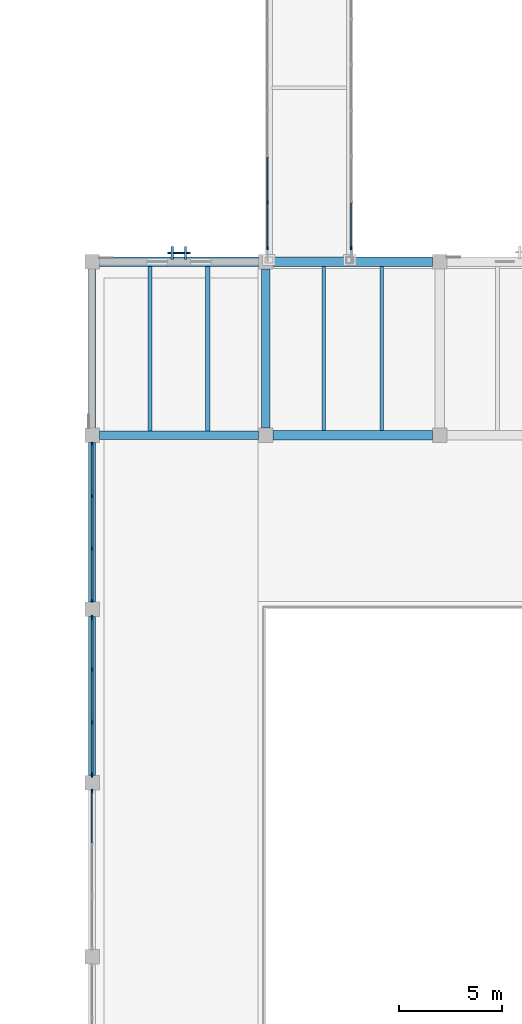
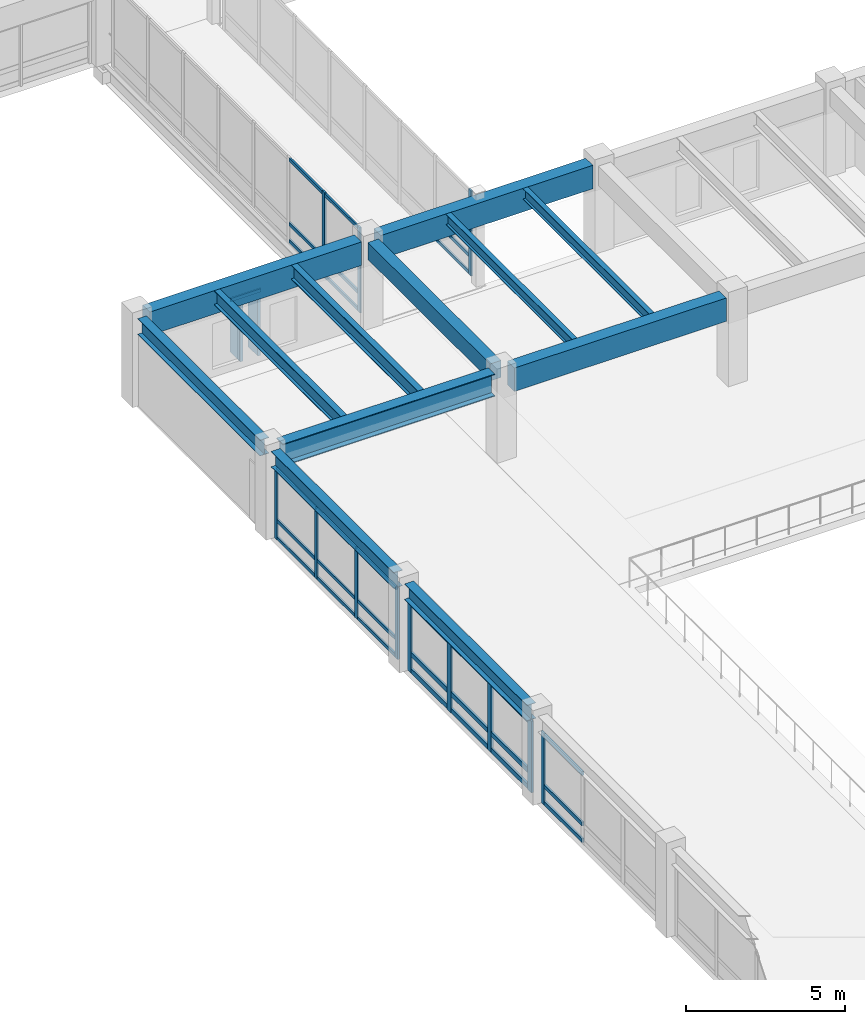
# One storey, part 43 of 118: 44 members, 12 beams, 6 elements without a shape of their own.
"""IFC4 building model written with IfcOpenShell, lengths in metres."""

from ifc_helpers import new_model, si_unit, direction, frame, origin, origin_2d, place, context, subcontext, project, spatial, rectangle, i_section, extrude, material, material_profile, profile_set, type_object, element, aggregate, save


model = new_model("IFC4")

# Units and contexts
model_context = context("Model", 3, precision=1e-05, world=origin(), true_north=direction((0.0, 1.0)))
body_context = subcontext(model_context, "Body", "Model", "MODEL_VIEW")
ifc_project = project(units=[si_unit("LENGTHUNIT", "METRE"), si_unit("AREAUNIT", "SQUARE_METRE"), si_unit("VOLUMEUNIT", "CUBIC_METRE"), si_unit("PLANEANGLEUNIT", "RADIAN"), si_unit("MASSUNIT", "GRAM", prefix="KILO")], contexts=[model_context])

# Site, building, storey
site_placement = place(None, origin())
site = spatial("IfcSite", under=ifc_project, at=site_placement, CompositionType="ELEMENT")
building_placement = place(site_placement, origin())
building = spatial("IfcBuilding", under=site, at=building_placement, Name="Cumbredor Promenade Congress Hotel", CompositionType="ELEMENT")
storey_placement = place(building_placement, frame((0.0, 0.0, 3.919921875)))
storey = spatial("IfcBuildingStorey", under=building, at=storey_placement, Name="L01", CompositionType="ELEMENT", Elevation=3.919921875)

# Beams
ifc_material_1 = material(Name="Concrete C40/50", Category="concrete")
ifc_material_profile_1 = material_profile(ifc_material_1, rectangle(XDim=0.39990234375, YDim=0.64990234375, at=origin_2d()), Name="RC BEAM 400x650")
ifc_profile_set_1 = profile_set([ifc_material_profile_1], Name="Concrete C40/50")
beam_type_1 = type_object("IfcBeamType", Name="BM-RC-400x650", PredefinedType="BEAM", material=ifc_profile_set_1)
beam_1_placement = place(storey_placement, frame((151.199951171875, 59.14990234375, 3.03515625), z_axis=(0.0, 1.0, 0.0), x_axis=(-1.0, 0.0, 0.0)))
element("IfcBeam", 1, at=beam_1_placement, inside=storey, type_object=beam_type_1, Name="L02 Y-Grid Beam 237", PredefinedType="BEAM", context=body_context, shape_type="SweptSolid", body=[
    extrude(rectangle(XDim=0.39990234375, YDim=0.64990234375, at=origin_2d()), origin(), (0.0, 0.0, 1.0), 7.7001953125),
])
ifc_material_2 = material(Name="Steel ASTM A992 Grade 50", Category="steel")
ifc_material_profile_2 = material_profile(ifc_material_2, i_section(OverallWidth=0.39990234375, OverallDepth=0.85498046875, WebThickness=0.018310546875, FlangeThickness=0.029296875, at=origin_2d()), Name="W33X201")
ifc_profile_set_2 = profile_set([ifc_material_profile_2], Name="Steel ASTM A992 Grade 50")
beam_type_2 = type_object("IfcBeamType", Name="BM-W33X201", PredefinedType="BEAM", material=ifc_profile_set_2)
beam_2_placement = place(storey_placement, frame((143.14990234375, 58.800048828125, 2.9326171875), z_axis=(1.0, 0.0, 0.0), x_axis=(0.0, 1.0, 0.0)))
element("IfcBeam", 2, at=beam_2_placement, inside=storey, type_object=beam_type_2, Name="L02 X-Grid Beam 228", PredefinedType="BEAM", context=body_context, shape_type="SweptSolid", body=[
    extrude(i_section(OverallWidth=0.39990234375, OverallDepth=0.85498046875, WebThickness=0.018310546875, FlangeThickness=0.029296875, at=origin_2d()), origin(), (0.0, 0.0, 1.0), 7.7001953125),
])

# Curtain wall, members
ifc_material_3 = material(Name="Thermally broken anodized aluminium and low-E glass", Category="aluminium")
curtain_wall_type_1 = type_object("IfcCurtainWallType", Name="Unitised Bronze Curtain Wall CW-01", PredefinedType="NOTDEFINED", material=ifc_material_3)
curtain_wall_1_placement = place(storey_placement, origin())
curtain_wall_1 = element("IfcCurtainWall", 3, at=curtain_wall_1_placement, inside=storey, type_object=curtain_wall_type_1, Name="L01 Grand Ballroom Pavilion West Curtain Wall 6", PredefinedType="NOTDEFINED")
ifc_material_4 = material(Name="Thermally broken anodized aluminium", Category="aluminium")
ifc_material_profile_3 = material_profile(ifc_material_4, rectangle(XDim=0.06494140625, YDim=0.159912109375, at=origin_2d()), Name="ALU MULLION 65x160")
ifc_profile_set_3 = profile_set([ifc_material_profile_3], Name="Thermally broken anodized aluminium")
member_type_1 = type_object("IfcMemberType", Name="Curtain Wall Mullion ML-01", PredefinedType="MULLION", material=ifc_profile_set_3)
member_1_placement = place(storey_placement, frame((142.800048828125, 50.804931640625, -0.0078125), z_axis=(0.0, 0.0, 1.0), x_axis=(1.0, 0.0, 0.0)))
member_1 = element("IfcMember", 4, at=member_1_placement, type_object=member_type_1, Name="L01 Grand Ballroom Pavilion West Curtain Wall 6 Mullion 1", PredefinedType="MULLION", context=body_context, shape_type="SweptSolid", body=[
    extrude(rectangle(XDim=0.06494140625, YDim=0.159912109375, at=origin_2d()), origin(), (0.0, 0.0, 1.0), 2.75),
])
member_2_placement = place(storey_placement, frame((142.800048828125, 53.3349609375, -0.0078125), z_axis=(0.0, 0.0, 1.0), x_axis=(1.0, 0.0, 0.0)))
member_2 = element("IfcMember", 5, at=member_2_placement, type_object=member_type_1, Name="L01 Grand Ballroom Pavilion West Curtain Wall 6 Mullion 2", PredefinedType="MULLION", context=body_context, shape_type="SweptSolid", body=[
    extrude(rectangle(XDim=0.06494140625, YDim=0.159912109375, at=origin_2d()), origin(), (0.0, 0.0, 1.0), 2.75),
])
member_3_placement = place(storey_placement, frame((142.800048828125, 55.864990234375, -0.0078125), z_axis=(0.0, 0.0, 1.0), x_axis=(1.0, 0.0, 0.0)))
member_3 = element("IfcMember", 6, at=member_3_placement, type_object=member_type_1, Name="L01 Grand Ballroom Pavilion West Curtain Wall 6 Mullion 3", PredefinedType="MULLION", context=body_context, shape_type="SweptSolid", body=[
    extrude(rectangle(XDim=0.06494140625, YDim=0.159912109375, at=origin_2d()), origin(), (0.0, 0.0, 1.0), 2.75),
])
member_4_placement = place(storey_placement, frame((142.800048828125, 58.39501953125, -0.0078125), z_axis=(0.0, 0.0, 1.0), x_axis=(1.0, 0.0, 0.0)))
member_4 = element("IfcMember", 7, at=member_4_placement, type_object=member_type_1, Name="L01 Grand Ballroom Pavilion West Curtain Wall 6 Mullion 4", PredefinedType="MULLION", context=body_context, shape_type="SweptSolid", body=[
    extrude(rectangle(XDim=0.06494140625, YDim=0.159912109375, at=origin_2d()), origin(), (0.0, 0.0, 1.0), 2.75),
])

curtain_wall_type_2 = type_object("IfcCurtainWallType", Name="Unitised Bridge Glazing Screen CW-05", PredefinedType="NOTDEFINED", material=ifc_material_3)
curtain_wall_2_placement = place(storey_placement, origin())
curtain_wall_2 = element("IfcCurtainWall", 8, at=curtain_wall_2_placement, inside=storey, type_object=curtain_wall_type_2, Name="L01 East Ballroom-to-Forum Glazed Bridge West Glazing Screen", PredefinedType="NOTDEFINED")
member_5_placement = place(storey_placement, frame((151.280029296875, 67.860107421875, -0.0078125), z_axis=(0.0, 0.0, 1.0), x_axis=(1.0, 0.0, 0.0)))
member_5 = element("IfcMember", 9, at=member_5_placement, type_object=member_type_1, Name="L01 East Ballroom-to-Forum Glazed Bridge West Glazing Screen Mullion 1", PredefinedType="MULLION", context=body_context, shape_type="SweptSolid", body=[
    extrude(rectangle(XDim=0.06494140625, YDim=0.159912109375, at=origin_2d()), origin(), (0.0, 0.0, 1.0), 3.27587890625),
])
member_6_placement = place(storey_placement, frame((151.280029296875, 70.0712890625, -0.0078125), z_axis=(0.0, 0.0, 1.0), x_axis=(1.0, 0.0, 0.0)))
member_6 = element("IfcMember", 10, at=member_6_placement, type_object=member_type_1, Name="L01 East Ballroom-to-Forum Glazed Bridge West Glazing Screen Mullion 2", PredefinedType="MULLION", context=body_context, shape_type="SweptSolid", body=[
    extrude(rectangle(XDim=0.06494140625, YDim=0.159912109375, at=origin_2d()), origin(), (0.0, 0.0, 1.0), 3.27587890625),
])

# Curtain wall, member
curtain_wall_3_placement = place(storey_placement, origin())
curtain_wall_3 = element("IfcCurtainWall", 11, at=curtain_wall_3_placement, inside=storey, type_object=curtain_wall_type_2, Name="L01 East Ballroom-to-Forum Glazed Bridge East Glazing Screen", PredefinedType="NOTDEFINED")
member_7_placement = place(storey_placement, frame((155.320068359375, 67.860107421875, -0.0078125), z_axis=(0.0, 0.0, 1.0), x_axis=(1.0, 0.0, 0.0)))
member_7 = element("IfcMember", 12, at=member_7_placement, type_object=member_type_1, Name="L01 East Ballroom-to-Forum Glazed Bridge East Glazing Screen Mullion 1", PredefinedType="MULLION", context=body_context, shape_type="SweptSolid", body=[
    extrude(rectangle(XDim=0.06494140625, YDim=0.159912109375, at=origin_2d()), origin(), (0.0, 0.0, 1.0), 3.27587890625),
])

curtain_wall_4_placement = place(storey_placement, origin())
curtain_wall_4 = element("IfcCurtainWall", 13, at=curtain_wall_4_placement, inside=storey, type_object=curtain_wall_type_1, Name="L01 Grand Ballroom Pavilion West Curtain Wall 4", PredefinedType="NOTDEFINED")
ifc_material_profile_4 = material_profile(ifc_material_4, rectangle(XDim=0.074951171875, YDim=0.199951171875, at=origin_2d()), Name="ALU MULLION 75x200")
ifc_profile_set_4 = profile_set([ifc_material_profile_4], Name="Thermally broken anodized aluminium")
member_type_2 = type_object("IfcMemberType", Name="Curtain Wall Mullion ML-02", PredefinedType="MULLION", material=ifc_profile_set_4)
member_8_placement = place(storey_placement, frame((142.800048828125, 41.594970703125, -0.0078125), z_axis=(0.0, 0.0, 1.0), x_axis=(1.0, 0.0, 0.0)))
member_8 = element("IfcMember", 14, at=member_8_placement, type_object=member_type_2, Name="L01 Grand Ballroom Pavilion West Curtain Wall 4 Mullion 4", PredefinedType="MULLION", context=body_context, shape_type="SweptSolid", body=[
    extrude(rectangle(XDim=0.074951171875, YDim=0.199951171875, at=origin_2d()), origin(), (0.0, 0.0, 1.0), 2.75),
])

# Curtain wall, members
curtain_wall_5_placement = place(storey_placement, origin())
curtain_wall_5 = element("IfcCurtainWall", 15, at=curtain_wall_5_placement, inside=storey, type_object=curtain_wall_type_1, Name="L01 Grand Ballroom Pavilion West Curtain Wall 5", PredefinedType="NOTDEFINED")
ifc_material_profile_5 = material_profile(ifc_material_4, rectangle(XDim=0.080078125, YDim=0.239990234375, at=origin_2d()), Name="ALU MULLION 80x240")
ifc_profile_set_5 = profile_set([ifc_material_profile_5], Name="Thermally broken anodized aluminium")
member_type_3 = type_object("IfcMemberType", Name="Curtain Wall Mullion ML-03", PredefinedType="MULLION", material=ifc_profile_set_5)
member_9_placement = place(storey_placement, frame((142.800048828125, 42.405029296875, -0.0078125), z_axis=(0.0, 0.0, 1.0), x_axis=(1.0, 0.0, 0.0)))
member_9 = element("IfcMember", 16, at=member_9_placement, type_object=member_type_3, Name="L01 Grand Ballroom Pavilion West Curtain Wall 5 Mullion 1", PredefinedType="MULLION", context=body_context, shape_type="SweptSolid", body=[
    extrude(rectangle(XDim=0.080078125, YDim=0.239990234375, at=origin_2d()), origin(), (0.0, 0.0, 1.0), 2.75),
])
member_10_placement = place(storey_placement, frame((142.800048828125, 44.93505859375, -0.0078125), z_axis=(0.0, 0.0, 1.0), x_axis=(1.0, 0.0, 0.0)))
member_10 = element("IfcMember", 17, at=member_10_placement, type_object=member_type_3, Name="L01 Grand Ballroom Pavilion West Curtain Wall 5 Mullion 2", PredefinedType="MULLION", context=body_context, shape_type="SweptSolid", body=[
    extrude(rectangle(XDim=0.080078125, YDim=0.239990234375, at=origin_2d()), origin(), (0.0, 0.0, 1.0), 2.75),
])
member_11_placement = place(storey_placement, frame((142.800048828125, 47.465087890625, -0.0078125), z_axis=(0.0, 0.0, 1.0), x_axis=(1.0, 0.0, 0.0)))
member_11 = element("IfcMember", 18, at=member_11_placement, type_object=member_type_3, Name="L01 Grand Ballroom Pavilion West Curtain Wall 5 Mullion 3", PredefinedType="MULLION", context=body_context, shape_type="SweptSolid", body=[
    extrude(rectangle(XDim=0.080078125, YDim=0.239990234375, at=origin_2d()), origin(), (0.0, 0.0, 1.0), 2.75),
])
member_12_placement = place(storey_placement, frame((142.800048828125, 49.9951171875, -0.0078125), z_axis=(0.0, 0.0, 1.0), x_axis=(1.0, 0.0, 0.0)))
member_12 = element("IfcMember", 19, at=member_12_placement, type_object=member_type_3, Name="L01 Grand Ballroom Pavilion West Curtain Wall 5 Mullion 4", PredefinedType="MULLION", context=body_context, shape_type="SweptSolid", body=[
    extrude(rectangle(XDim=0.080078125, YDim=0.239990234375, at=origin_2d()), origin(), (0.0, 0.0, 1.0), 2.75),
])

# Curtain wall, member
curtain_wall_type_3 = type_object("IfcCurtainWallType", Name="Solar Brise-Soleil Screen Assembly CW-07", PredefinedType="NOTDEFINED", material=ifc_material_3)
curtain_wall_6_placement = place(storey_placement, origin())
curtain_wall_6 = element("IfcCurtainWall", 20, at=curtain_wall_6_placement, inside=storey, type_object=curtain_wall_type_3, Name="L01 Pier Brise-Soleil Screen 0166", PredefinedType="NOTDEFINED")
ifc_material_profile_6 = material_profile(ifc_material_4, rectangle(XDim=0.06494140625, YDim=0.1298828125, at=origin_2d()), Name="ALU TRANSOM 65x130")
ifc_profile_set_6 = profile_set([ifc_material_profile_6], Name="Thermally broken anodized aluminium")
member_type_4 = type_object("IfcMemberType", Name="Curtain Wall Transom TR-01", PredefinedType="USERDEFINED", material=ifc_profile_set_6)
member_13_placement = place(storey_placement, frame((146.449951171875, 67.62255859375, 2.28515625), z_axis=(1.0, 0.0, 0.0), x_axis=(0.0, 1.0, 0.0)))
member_13 = element("IfcMember", 21, at=member_13_placement, type_object=member_type_4, Name="L01 Pier Brise-Soleil Header 0168", ObjectType="TRANSOM", PredefinedType="USERDEFINED", context=body_context, shape_type="SweptSolid", body=[
    extrude(rectangle(XDim=0.06494140625, YDim=0.1298828125, at=origin_2d()), origin(), (0.0, 0.0, 1.0), 1.10009765625),
])

# Member
member_14_placement = place(storey_placement, frame((142.800048828125, 50.83740234375, 0.06005859375), z_axis=(0.0, 1.0, 0.0), x_axis=(-1.0, 0.0, 0.0)))
member_14 = element("IfcMember", 22, at=member_14_placement, type_object=member_type_4, Name="L01 Grand Ballroom Pavilion West Curtain Wall 6 Transom 1.1", ObjectType="TRANSOM", PredefinedType="USERDEFINED", context=body_context, shape_type="SweptSolid", body=[
    extrude(rectangle(XDim=0.06494140625, YDim=0.1298828125, at=origin_2d()), origin(), (0.0, 0.0, 1.0), 2.465087890625),
])

member_15_placement = place(storey_placement, frame((142.800048828125, 50.83740234375, 0.719970703125), z_axis=(0.0, 1.0, 0.0), x_axis=(-1.0, 0.0, 0.0)))
member_15 = element("IfcMember", 23, at=member_15_placement, type_object=member_type_4, Name="L01 Grand Ballroom Pavilion West Curtain Wall 6 Transom 1.2", ObjectType="TRANSOM", PredefinedType="USERDEFINED", context=body_context, shape_type="SweptSolid", body=[
    extrude(rectangle(XDim=0.06494140625, YDim=0.1298828125, at=origin_2d()), origin(), (0.0, 0.0, 1.0), 2.465087890625),
])

member_16_placement = place(storey_placement, frame((142.800048828125, 50.83740234375, 2.670166015625), z_axis=(0.0, 1.0, 0.0), x_axis=(-1.0, 0.0, 0.0)))
member_16 = element("IfcMember", 24, at=member_16_placement, type_object=member_type_4, Name="L01 Grand Ballroom Pavilion West Curtain Wall 6 Transom 1.3", ObjectType="TRANSOM", PredefinedType="USERDEFINED", context=body_context, shape_type="SweptSolid", body=[
    extrude(rectangle(XDim=0.06494140625, YDim=0.1298828125, at=origin_2d()), origin(), (0.0, 0.0, 1.0), 2.465087890625),
])

member_17_placement = place(storey_placement, frame((142.800048828125, 53.367431640625, 0.06005859375), z_axis=(0.0, 1.0, 0.0), x_axis=(-1.0, 0.0, 0.0)))
member_17 = element("IfcMember", 25, at=member_17_placement, type_object=member_type_4, Name="L01 Grand Ballroom Pavilion West Curtain Wall 6 Transom 2.1", ObjectType="TRANSOM", PredefinedType="USERDEFINED", context=body_context, shape_type="SweptSolid", body=[
    extrude(rectangle(XDim=0.06494140625, YDim=0.1298828125, at=origin_2d()), origin(), (0.0, 0.0, 1.0), 2.465087890625),
])

member_18_placement = place(storey_placement, frame((142.800048828125, 53.367431640625, 0.719970703125), z_axis=(0.0, 1.0, 0.0), x_axis=(-1.0, 0.0, 0.0)))
member_18 = element("IfcMember", 26, at=member_18_placement, type_object=member_type_4, Name="L01 Grand Ballroom Pavilion West Curtain Wall 6 Transom 2.2", ObjectType="TRANSOM", PredefinedType="USERDEFINED", context=body_context, shape_type="SweptSolid", body=[
    extrude(rectangle(XDim=0.06494140625, YDim=0.1298828125, at=origin_2d()), origin(), (0.0, 0.0, 1.0), 2.465087890625),
])

member_19_placement = place(storey_placement, frame((142.800048828125, 53.367431640625, 2.670166015625), z_axis=(0.0, 1.0, 0.0), x_axis=(-1.0, 0.0, 0.0)))
member_19 = element("IfcMember", 27, at=member_19_placement, type_object=member_type_4, Name="L01 Grand Ballroom Pavilion West Curtain Wall 6 Transom 2.3", ObjectType="TRANSOM", PredefinedType="USERDEFINED", context=body_context, shape_type="SweptSolid", body=[
    extrude(rectangle(XDim=0.06494140625, YDim=0.1298828125, at=origin_2d()), origin(), (0.0, 0.0, 1.0), 2.465087890625),
])

member_20_placement = place(storey_placement, frame((142.800048828125, 55.8974609375, 0.06005859375), z_axis=(0.0, 1.0, 0.0), x_axis=(-1.0, 0.0, 0.0)))
member_20 = element("IfcMember", 28, at=member_20_placement, type_object=member_type_4, Name="L01 Grand Ballroom Pavilion West Curtain Wall 6 Transom 3.1", ObjectType="TRANSOM", PredefinedType="USERDEFINED", context=body_context, shape_type="SweptSolid", body=[
    extrude(rectangle(XDim=0.06494140625, YDim=0.1298828125, at=origin_2d()), origin(), (0.0, 0.0, 1.0), 2.465087890625),
])

member_21_placement = place(storey_placement, frame((142.800048828125, 55.8974609375, 0.719970703125), z_axis=(0.0, 1.0, 0.0), x_axis=(-1.0, 0.0, 0.0)))
member_21 = element("IfcMember", 29, at=member_21_placement, type_object=member_type_4, Name="L01 Grand Ballroom Pavilion West Curtain Wall 6 Transom 3.2", ObjectType="TRANSOM", PredefinedType="USERDEFINED", context=body_context, shape_type="SweptSolid", body=[
    extrude(rectangle(XDim=0.06494140625, YDim=0.1298828125, at=origin_2d()), origin(), (0.0, 0.0, 1.0), 2.465087890625),
])

member_22_placement = place(storey_placement, frame((142.800048828125, 55.8974609375, 2.670166015625), z_axis=(0.0, 1.0, 0.0), x_axis=(-1.0, 0.0, 0.0)))
member_22 = element("IfcMember", 30, at=member_22_placement, type_object=member_type_4, Name="L01 Grand Ballroom Pavilion West Curtain Wall 6 Transom 3.3", ObjectType="TRANSOM", PredefinedType="USERDEFINED", context=body_context, shape_type="SweptSolid", body=[
    extrude(rectangle(XDim=0.06494140625, YDim=0.1298828125, at=origin_2d()), origin(), (0.0, 0.0, 1.0), 2.465087890625),
])

aggregate(curtain_wall_1, [member_1, member_2, member_3, member_4, member_14, member_15, member_16, member_17, member_18, member_19, member_20, member_21, member_22])

member_23_placement = place(storey_placement, frame((151.280029296875, 67.892578125, 0.06005859375), z_axis=(0.0, 1.0, 0.0), x_axis=(-1.0, 0.0, 0.0)))
member_23 = element("IfcMember", 31, at=member_23_placement, type_object=member_type_4, Name="L01 East Ballroom-to-Forum Glazed Bridge West Glazing Screen Transom 1.1", ObjectType="TRANSOM", PredefinedType="USERDEFINED", context=body_context, shape_type="SweptSolid", body=[
    extrude(rectangle(XDim=0.06494140625, YDim=0.1298828125, at=origin_2d()), origin(), (0.0, 0.0, 1.0), 2.146240234375),
])

member_24_placement = place(storey_placement, frame((151.280029296875, 67.892578125, 0.719970703125), z_axis=(0.0, 1.0, 0.0), x_axis=(-1.0, 0.0, 0.0)))
member_24 = element("IfcMember", 32, at=member_24_placement, type_object=member_type_4, Name="L01 East Ballroom-to-Forum Glazed Bridge West Glazing Screen Transom 1.2", ObjectType="TRANSOM", PredefinedType="USERDEFINED", context=body_context, shape_type="SweptSolid", body=[
    extrude(rectangle(XDim=0.06494140625, YDim=0.1298828125, at=origin_2d()), origin(), (0.0, 0.0, 1.0), 2.146240234375),
])

member_25_placement = place(storey_placement, frame((151.280029296875, 67.892578125, 3.190185546875), z_axis=(0.0, 1.0, 0.0), x_axis=(-1.0, 0.0, 0.0)))
member_25 = element("IfcMember", 33, at=member_25_placement, type_object=member_type_4, Name="L01 East Ballroom-to-Forum Glazed Bridge West Glazing Screen Transom 1.3", ObjectType="TRANSOM", PredefinedType="USERDEFINED", context=body_context, shape_type="SweptSolid", body=[
    extrude(rectangle(XDim=0.06494140625, YDim=0.1298828125, at=origin_2d()), origin(), (0.0, 0.0, 1.0), 2.146240234375),
])

member_26_placement = place(storey_placement, frame((151.280029296875, 70.10400390625, 0.06005859375), z_axis=(0.0, 1.0, 0.0), x_axis=(-1.0, 0.0, 0.0)))
member_26 = element("IfcMember", 34, at=member_26_placement, type_object=member_type_4, Name="L01 East Ballroom-to-Forum Glazed Bridge West Glazing Screen Transom 2.1", ObjectType="TRANSOM", PredefinedType="USERDEFINED", context=body_context, shape_type="SweptSolid", body=[
    extrude(rectangle(XDim=0.06494140625, YDim=0.1298828125, at=origin_2d()), origin(), (0.0, 0.0, 1.0), 2.146484375),
])

member_27_placement = place(storey_placement, frame((151.280029296875, 70.10400390625, 0.719970703125), z_axis=(0.0, 1.0, 0.0), x_axis=(-1.0, 0.0, 0.0)))
member_27 = element("IfcMember", 35, at=member_27_placement, type_object=member_type_4, Name="L01 East Ballroom-to-Forum Glazed Bridge West Glazing Screen Transom 2.2", ObjectType="TRANSOM", PredefinedType="USERDEFINED", context=body_context, shape_type="SweptSolid", body=[
    extrude(rectangle(XDim=0.06494140625, YDim=0.1298828125, at=origin_2d()), origin(), (0.0, 0.0, 1.0), 2.146484375),
])

member_28_placement = place(storey_placement, frame((151.280029296875, 70.10400390625, 3.190185546875), z_axis=(0.0, 1.0, 0.0), x_axis=(-1.0, 0.0, 0.0)))
member_28 = element("IfcMember", 36, at=member_28_placement, type_object=member_type_4, Name="L01 East Ballroom-to-Forum Glazed Bridge West Glazing Screen Transom 2.3", ObjectType="TRANSOM", PredefinedType="USERDEFINED", context=body_context, shape_type="SweptSolid", body=[
    extrude(rectangle(XDim=0.06494140625, YDim=0.1298828125, at=origin_2d()), origin(), (0.0, 0.0, 1.0), 2.146484375),
])

aggregate(curtain_wall_2, [member_5, member_6, member_23, member_24, member_25, member_26, member_27, member_28])

member_29_placement = place(storey_placement, frame((155.320068359375, 67.892578125, 0.06005859375), z_axis=(0.0, 1.0, 0.0), x_axis=(-1.0, 0.0, 0.0)))
member_29 = element("IfcMember", 37, at=member_29_placement, type_object=member_type_4, Name="L01 East Ballroom-to-Forum Glazed Bridge East Glazing Screen Transom 1.1", ObjectType="TRANSOM", PredefinedType="USERDEFINED", context=body_context, shape_type="SweptSolid", body=[
    extrude(rectangle(XDim=0.06494140625, YDim=0.1298828125, at=origin_2d()), origin(), (0.0, 0.0, 1.0), 2.146240234375),
])

member_30_placement = place(storey_placement, frame((155.320068359375, 67.892578125, 0.719970703125), z_axis=(0.0, 1.0, 0.0), x_axis=(-1.0, 0.0, 0.0)))
member_30 = element("IfcMember", 38, at=member_30_placement, type_object=member_type_4, Name="L01 East Ballroom-to-Forum Glazed Bridge East Glazing Screen Transom 1.2", ObjectType="TRANSOM", PredefinedType="USERDEFINED", context=body_context, shape_type="SweptSolid", body=[
    extrude(rectangle(XDim=0.06494140625, YDim=0.1298828125, at=origin_2d()), origin(), (0.0, 0.0, 1.0), 2.146240234375),
])

aggregate(curtain_wall_3, [member_7, member_29, member_30])

ifc_material_profile_7 = material_profile(ifc_material_4, rectangle(XDim=0.074951171875, YDim=0.14990234375, at=origin_2d()), Name="ALU TRANSOM 75x150")
ifc_profile_set_7 = profile_set([ifc_material_profile_7], Name="Thermally broken anodized aluminium")
member_type_5 = type_object("IfcMemberType", Name="Curtain Wall Transom TR-02", PredefinedType="USERDEFINED", material=ifc_profile_set_7)
member_31_placement = place(storey_placement, frame((142.800048828125, 39.1025390625, 0.080078125), z_axis=(0.0, 1.0, 0.0), x_axis=(-1.0, 0.0, 0.0)))
member_31 = element("IfcMember", 39, at=member_31_placement, type_object=member_type_5, Name="L01 Grand Ballroom Pavilion West Curtain Wall 4 Transom 3.1", ObjectType="TRANSOM", PredefinedType="USERDEFINED", context=body_context, shape_type="SweptSolid", body=[
    extrude(rectangle(XDim=0.074951171875, YDim=0.14990234375, at=origin_2d()), origin(), (0.0, 0.0, 1.0), 2.455078125),
])

member_32_placement = place(storey_placement, frame((142.800048828125, 39.1025390625, 0.719970703125), z_axis=(0.0, 1.0, 0.0), x_axis=(-1.0, 0.0, 0.0)))
member_32 = element("IfcMember", 40, at=member_32_placement, type_object=member_type_5, Name="L01 Grand Ballroom Pavilion West Curtain Wall 4 Transom 3.2", ObjectType="TRANSOM", PredefinedType="USERDEFINED", context=body_context, shape_type="SweptSolid", body=[
    extrude(rectangle(XDim=0.074951171875, YDim=0.14990234375, at=origin_2d()), origin(), (0.0, 0.0, 1.0), 2.455078125),
])

member_33_placement = place(storey_placement, frame((142.800048828125, 39.1025390625, 2.66015625), z_axis=(0.0, 1.0, 0.0), x_axis=(-1.0, 0.0, 0.0)))
member_33 = element("IfcMember", 41, at=member_33_placement, type_object=member_type_5, Name="L01 Grand Ballroom Pavilion West Curtain Wall 4 Transom 3.3", ObjectType="TRANSOM", PredefinedType="USERDEFINED", context=body_context, shape_type="SweptSolid", body=[
    extrude(rectangle(XDim=0.074951171875, YDim=0.14990234375, at=origin_2d()), origin(), (0.0, 0.0, 1.0), 2.455078125),
])

aggregate(curtain_wall_4, [member_8, member_31, member_32, member_33])

ifc_material_profile_8 = material_profile(ifc_material_4, rectangle(XDim=0.080078125, YDim=0.179931640625, at=origin_2d()), Name="ALU TRANSOM 80x180")
ifc_profile_set_8 = profile_set([ifc_material_profile_8], Name="Thermally broken anodized aluminium")
member_type_6 = type_object("IfcMemberType", Name="Curtain Wall Transom TR-03", PredefinedType="USERDEFINED", material=ifc_profile_set_8)
member_34_placement = place(storey_placement, frame((142.800048828125, 42.445068359375, 0.090087890625), z_axis=(0.0, 1.0, 0.0), x_axis=(-1.0, 0.0, 0.0)))
member_34 = element("IfcMember", 42, at=member_34_placement, type_object=member_type_6, Name="L01 Grand Ballroom Pavilion West Curtain Wall 5 Transom 1.1", ObjectType="TRANSOM", PredefinedType="USERDEFINED", context=body_context, shape_type="SweptSolid", body=[
    extrude(rectangle(XDim=0.080078125, YDim=0.179931640625, at=origin_2d()), origin(), (0.0, 0.0, 1.0), 2.449951171875),
])

member_35_placement = place(storey_placement, frame((142.800048828125, 42.445068359375, 0.719970703125), z_axis=(0.0, 1.0, 0.0), x_axis=(-1.0, 0.0, 0.0)))
member_35 = element("IfcMember", 43, at=member_35_placement, type_object=member_type_6, Name="L01 Grand Ballroom Pavilion West Curtain Wall 5 Transom 1.2", ObjectType="TRANSOM", PredefinedType="USERDEFINED", context=body_context, shape_type="SweptSolid", body=[
    extrude(rectangle(XDim=0.080078125, YDim=0.179931640625, at=origin_2d()), origin(), (0.0, 0.0, 1.0), 2.449951171875),
])

member_36_placement = place(storey_placement, frame((142.800048828125, 42.445068359375, 2.64013671875), z_axis=(0.0, 1.0, 0.0), x_axis=(-1.0, 0.0, 0.0)))
member_36 = element("IfcMember", 44, at=member_36_placement, type_object=member_type_6, Name="L01 Grand Ballroom Pavilion West Curtain Wall 5 Transom 1.3", ObjectType="TRANSOM", PredefinedType="USERDEFINED", context=body_context, shape_type="SweptSolid", body=[
    extrude(rectangle(XDim=0.080078125, YDim=0.179931640625, at=origin_2d()), origin(), (0.0, 0.0, 1.0), 2.449951171875),
])

member_37_placement = place(storey_placement, frame((142.800048828125, 44.97509765625, 0.090087890625), z_axis=(0.0, 1.0, 0.0), x_axis=(-1.0, 0.0, 0.0)))
member_37 = element("IfcMember", 45, at=member_37_placement, type_object=member_type_6, Name="L01 Grand Ballroom Pavilion West Curtain Wall 5 Transom 2.1", ObjectType="TRANSOM", PredefinedType="USERDEFINED", context=body_context, shape_type="SweptSolid", body=[
    extrude(rectangle(XDim=0.080078125, YDim=0.179931640625, at=origin_2d()), origin(), (0.0, 0.0, 1.0), 2.449951171875),
])

member_38_placement = place(storey_placement, frame((142.800048828125, 44.97509765625, 0.719970703125), z_axis=(0.0, 1.0, 0.0), x_axis=(-1.0, 0.0, 0.0)))
member_38 = element("IfcMember", 46, at=member_38_placement, type_object=member_type_6, Name="L01 Grand Ballroom Pavilion West Curtain Wall 5 Transom 2.2", ObjectType="TRANSOM", PredefinedType="USERDEFINED", context=body_context, shape_type="SweptSolid", body=[
    extrude(rectangle(XDim=0.080078125, YDim=0.179931640625, at=origin_2d()), origin(), (0.0, 0.0, 1.0), 2.449951171875),
])

member_39_placement = place(storey_placement, frame((142.800048828125, 44.97509765625, 2.64013671875), z_axis=(0.0, 1.0, 0.0), x_axis=(-1.0, 0.0, 0.0)))
member_39 = element("IfcMember", 47, at=member_39_placement, type_object=member_type_6, Name="L01 Grand Ballroom Pavilion West Curtain Wall 5 Transom 2.3", ObjectType="TRANSOM", PredefinedType="USERDEFINED", context=body_context, shape_type="SweptSolid", body=[
    extrude(rectangle(XDim=0.080078125, YDim=0.179931640625, at=origin_2d()), origin(), (0.0, 0.0, 1.0), 2.449951171875),
])

member_40_placement = place(storey_placement, frame((142.800048828125, 47.5048828125, 0.090087890625), z_axis=(0.0, 1.0, 0.0), x_axis=(-1.0, 0.0, 0.0)))
member_40 = element("IfcMember", 48, at=member_40_placement, type_object=member_type_6, Name="L01 Grand Ballroom Pavilion West Curtain Wall 5 Transom 3.1", ObjectType="TRANSOM", PredefinedType="USERDEFINED", context=body_context, shape_type="SweptSolid", body=[
    extrude(rectangle(XDim=0.080078125, YDim=0.179931640625, at=origin_2d()), origin(), (0.0, 0.0, 1.0), 2.4501953125),
])

member_41_placement = place(storey_placement, frame((142.800048828125, 47.5048828125, 0.719970703125), z_axis=(0.0, 1.0, 0.0), x_axis=(-1.0, 0.0, 0.0)))
member_41 = element("IfcMember", 49, at=member_41_placement, type_object=member_type_6, Name="L01 Grand Ballroom Pavilion West Curtain Wall 5 Transom 3.2", ObjectType="TRANSOM", PredefinedType="USERDEFINED", context=body_context, shape_type="SweptSolid", body=[
    extrude(rectangle(XDim=0.080078125, YDim=0.179931640625, at=origin_2d()), origin(), (0.0, 0.0, 1.0), 2.4501953125),
])

member_42_placement = place(storey_placement, frame((142.800048828125, 47.5048828125, 2.64013671875), z_axis=(0.0, 1.0, 0.0), x_axis=(-1.0, 0.0, 0.0)))
member_42 = element("IfcMember", 50, at=member_42_placement, type_object=member_type_6, Name="L01 Grand Ballroom Pavilion West Curtain Wall 5 Transom 3.3", ObjectType="TRANSOM", PredefinedType="USERDEFINED", context=body_context, shape_type="SweptSolid", body=[
    extrude(rectangle(XDim=0.080078125, YDim=0.179931640625, at=origin_2d()), origin(), (0.0, 0.0, 1.0), 2.4501953125),
])

aggregate(curtain_wall_5, [member_9, member_10, member_11, member_12, member_34, member_35, member_36, member_37, member_38, member_39, member_40, member_41, member_42])

# Beams
ifc_material_profile_9 = material_profile(ifc_material_2, i_section(OverallWidth=0.180908203125, OverallDepth=0.4169921875, WebThickness=0.010986328125, FlangeThickness=0.018310546875, at=origin_2d()), Name="W16X57")
ifc_profile_set_9 = profile_set([ifc_material_profile_9], Name="Steel ASTM A992 Grade 50")
beam_type_3 = type_object("IfcBeamType", Name="JST-W16X57", PredefinedType="JOIST", material=ifc_profile_set_9)
for number, where, z_axis, x_axis, name in (
    (51, (154.0, 59.02490234375, 3.151611328125), (0.0, 1.0, 0.0), (-1.0, 0.0, 0.0), "L02 Secondary Floor Joist 0129"),
    (52, (156.800048828125, 59.02490234375, 3.151611328125), (0.0, 1.0, 0.0), (-1.0, 0.0, 0.0), "L02 Secondary Floor Joist 0130"),
):
    element("IfcBeam", number, at=place(storey_placement, frame(where, z_axis=z_axis, x_axis=x_axis)), inside=storey, type_object=beam_type_3, Name=name, PredefinedType="JOIST", context=body_context, shape_type="SweptSolid", body=[
        extrude(i_section(OverallWidth=0.180908203125, OverallDepth=0.4169921875, WebThickness=0.010986328125, FlangeThickness=0.018310546875, at=origin_2d()), origin(), (0.0, 0.0, 1.0), 7.9501953125),
    ])
ifc_material_profile_10 = material_profile(ifc_material_2, i_section(OverallWidth=0.214111328125, OverallDepth=0.549072265625, WebThickness=0.0146484375, FlangeThickness=0.023681640625, at=origin_2d()), Name="W21X93")
ifc_profile_set_10 = profile_set([ifc_material_profile_10], Name="Steel ASTM A992 Grade 50")
beam_type_4 = type_object("IfcBeamType", Name="JST-W21X93", PredefinedType="JOIST", material=ifc_profile_set_10)
for number, where, z_axis, x_axis, name in (
    (53, (145.60009765625, 59.0, 3.085693359375), (0.0, 1.0, 0.0), (-1.0, 0.0, 0.0), "L02 Secondary Floor Joist 0126"),
    (54, (148.39990234375, 59.0, 3.085693359375), (0.0, 1.0, 0.0), (-1.0, 0.0, 0.0), "L02 Secondary Floor Joist 0127"),
):
    element("IfcBeam", number, at=place(storey_placement, frame(where, z_axis=z_axis, x_axis=x_axis)), inside=storey, type_object=beam_type_4, Name=name, PredefinedType="JOIST", context=body_context, shape_type="SweptSolid", body=[
        extrude(i_section(OverallWidth=0.214111328125, OverallDepth=0.549072265625, WebThickness=0.0146484375, FlangeThickness=0.023681640625, at=origin_2d()), origin(), (0.0, 0.0, 1.0), 7.97509765625),
    ])
ifc_material_profile_11 = material_profile(ifc_material_1, rectangle(XDim=0.449951171875, YDim=0.89990234375, at=origin_2d()), Name="RC SPANDREL 450x900")
ifc_profile_set_11 = profile_set([ifc_material_profile_11], Name="Concrete C40/50")
beam_type_5 = type_object("IfcBeamType", Name="SP-RC-450x900", PredefinedType="SPANDREL", material=ifc_profile_set_11)
beam_3_placement = place(storey_placement, frame((143.14990234375, 67.199951171875, 2.91015625), z_axis=(1.0, 0.0, 0.0), x_axis=(0.0, 1.0, 0.0)))
element("IfcBeam", 55, at=beam_3_placement, inside=storey, type_object=beam_type_5, Name="L02 X-Grid Beam 230", PredefinedType="SPANDREL", context=body_context, shape_type="SweptSolid", body=[
    extrude(rectangle(XDim=0.449951171875, YDim=0.89990234375, at=origin_2d()), origin(), (0.0, 0.0, 1.0), 7.7001953125),
])
for number, where, z_axis, x_axis, name in (
    (56, (151.550048828125, 58.800048828125, 2.91015625), (1.0, 0.0, 0.0), (0.0, 1.0, 0.0), "L02 X-Grid Beam 236"),
    (57, (151.550048828125, 67.199951171875, 2.91015625), (1.0, 0.0, 0.0), (0.0, 1.0, 0.0), "L02 X-Grid Beam 238"),
):
    element("IfcBeam", number, at=place(storey_placement, frame(where, z_axis=z_axis, x_axis=x_axis)), inside=storey, type_object=beam_type_5, Name=name, PredefinedType="SPANDREL", context=body_context, shape_type="SweptSolid", body=[
        extrude(rectangle(XDim=0.449951171875, YDim=0.89990234375, at=origin_2d()), origin(), (0.0, 0.0, 1.0), 7.699951171875),
    ])
ifc_material_profile_12 = material_profile(ifc_material_2, i_section(OverallWidth=0.323974609375, OverallDepth=0.611083984375, WebThickness=0.0126953125, FlangeThickness=0.01904296875, at=origin_2d()), Name="W24X104")
ifc_profile_set_12 = profile_set([ifc_material_profile_12], Name="Steel ASTM A992 Grade 50")
beam_type_6 = type_object("IfcBeamType", Name="SP-W24X104", PredefinedType="SPANDREL", material=ifc_profile_set_12)
for number, where, z_axis, x_axis, name in (
    (58, (142.800048828125, 42.35009765625, 3.0546875), (0.0, 1.0, 0.0), (-1.0, 0.0, 0.0), "L02 Y-Grid Beam 226"),
    (59, (142.800048828125, 50.75, 3.0546875), (0.0, 1.0, 0.0), (-1.0, 0.0, 0.0), "L02 Y-Grid Beam 227"),
):
    element("IfcBeam", number, at=place(storey_placement, frame(where, z_axis=z_axis, x_axis=x_axis)), inside=storey, type_object=beam_type_6, Name=name, PredefinedType="SPANDREL", context=body_context, shape_type="SweptSolid", body=[
        extrude(i_section(OverallWidth=0.323974609375, OverallDepth=0.611083984375, WebThickness=0.0126953125, FlangeThickness=0.01904296875, at=origin_2d()), origin(), (0.0, 0.0, 1.0), 7.699951171875),
    ])
beam_4_placement = place(storey_placement, frame((142.800048828125, 59.14990234375, 3.0546875), z_axis=(0.0, 1.0, 0.0), x_axis=(-1.0, 0.0, 0.0)))
element("IfcBeam", 60, at=beam_4_placement, inside=storey, type_object=beam_type_6, Name="L02 Y-Grid Beam 229", PredefinedType="SPANDREL", context=body_context, shape_type="SweptSolid", body=[
    extrude(i_section(OverallWidth=0.323974609375, OverallDepth=0.611083984375, WebThickness=0.0126953125, FlangeThickness=0.01904296875, at=origin_2d()), origin(), (0.0, 0.0, 1.0), 7.7001953125),
])

# Member
ifc_material_profile_13 = material_profile(ifc_material_4, rectangle(XDim=0.110107421875, YDim=0.6201171875, at=origin_2d()), Name="ARCH FIN 110x620")
ifc_profile_set_13 = profile_set([ifc_material_profile_13], Name="Thermally broken anodized aluminium")
member_type_7 = type_object("IfcMemberType", Name="Vertical Bronze Brise-Soleil Fin BSF-02 110x620", PredefinedType="USERDEFINED", material=ifc_profile_set_13)
member_43_placement = place(storey_placement, frame((146.679931640625, 67.62255859375, 0.02001953125), z_axis=(0.0, 0.0, 1.0), x_axis=(1.0, 0.0, 0.0)))
member_43 = element("IfcMember", 61, at=member_43_placement, type_object=member_type_7, Name="L01 Pier Brise-Soleil Fin 0167", ObjectType="SOLAR FIN", PredefinedType="USERDEFINED", context=body_context, shape_type="SweptSolid", body=[
    extrude(rectangle(XDim=0.110107421875, YDim=0.6201171875, at=origin_2d()), origin(), (0.0, 0.0, 1.0), 2.30517578125),
])

member_44_placement = place(storey_placement, frame((147.320068359375, 67.62255859375, 0.02001953125), z_axis=(0.0, 0.0, 1.0), x_axis=(1.0, 0.0, 0.0)))
member_44 = element("IfcMember", 62, at=member_44_placement, type_object=member_type_7, Name="L01 Pier Brise-Soleil Fin 0168", ObjectType="SOLAR FIN", PredefinedType="USERDEFINED", context=body_context, shape_type="SweptSolid", body=[
    extrude(rectangle(XDim=0.110107421875, YDim=0.6201171875, at=origin_2d()), origin(), (0.0, 0.0, 1.0), 2.30517578125),
])

aggregate(curtain_wall_6, [member_43, member_44, member_13])

save(model, "model.ifc")
